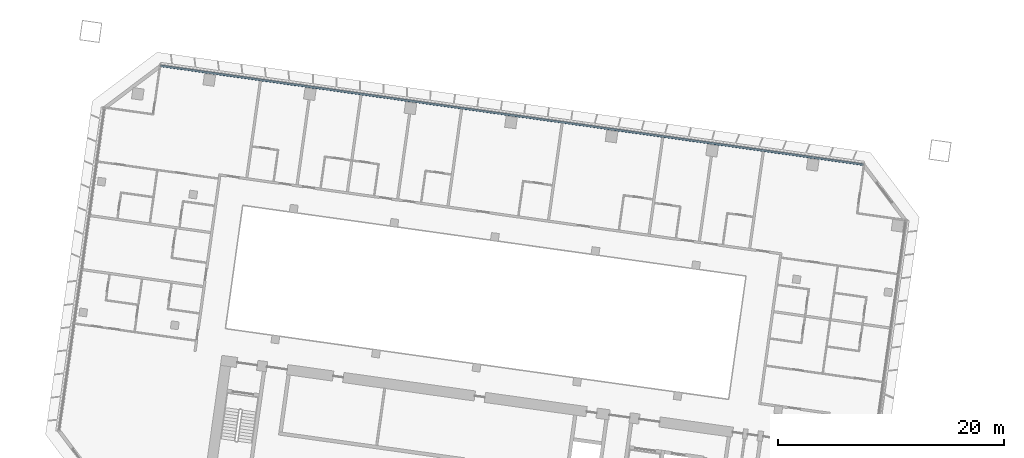
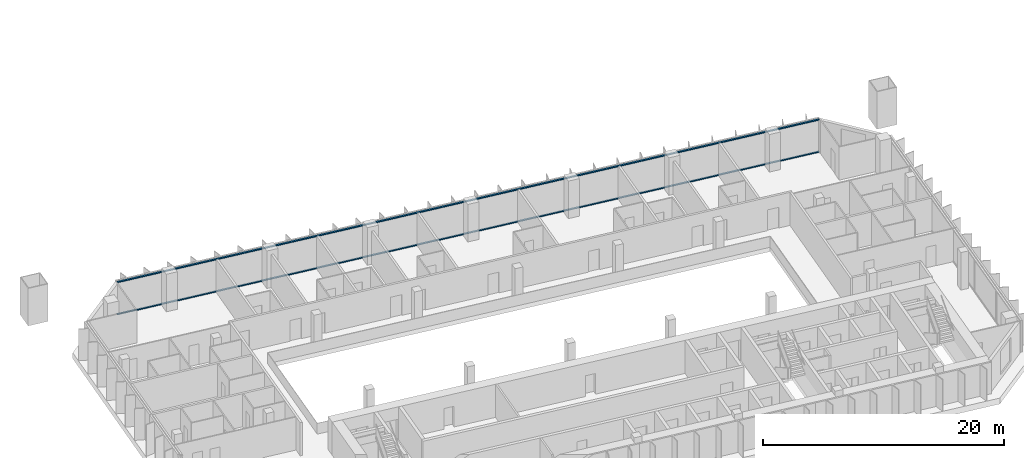
# One storey, part 4 of 25: 2 members, 1 element without a shape of its own.
"""IFC4 building model written with IfcOpenShell, lengths in metres."""

from ifc_helpers import new_model, si_unit, direction, frame, origin, origin_2d, place, context, subcontext, project, spatial, rectangle, extrude, material, material_profile, profile_set, type_object, element, aggregate, save


model = new_model("IFC4")

# Units and contexts
model_context = context("Model", 3, precision=1e-05, world=origin(), true_north=direction((0.0, 1.0)))
body_context = subcontext(model_context, "Body", "Model", "MODEL_VIEW")
ifc_project = project(units=[si_unit("LENGTHUNIT", "METRE"), si_unit("AREAUNIT", "SQUARE_METRE"), si_unit("VOLUMEUNIT", "CUBIC_METRE"), si_unit("PLANEANGLEUNIT", "RADIAN"), si_unit("MASSUNIT", "GRAM", prefix="KILO")], contexts=[model_context])

# Site, building, storey
site_placement = place(None, origin())
site = spatial("IfcSite", under=ifc_project, at=site_placement, CompositionType="ELEMENT")
building_placement = place(site_placement, origin())
building = spatial("IfcBuilding", under=site, at=building_placement, Name="Mirante Cascada Hotel Towers", CompositionType="ELEMENT")
storey_placement = place(building_placement, frame((0.0, 0.0, 69.9)))
storey = spatial("IfcBuildingStorey", under=building, at=storey_placement, Name="L14", CompositionType="ELEMENT", Elevation=69.9)

# Curtain wall, members
ifc_material_1 = material(Name="Aluminium mullion and transom frame with clear laminated glass", Category="aluminium")
curtain_wall_type = type_object("IfcCurtainWallType", Name="Ribbon curtain wall ECW1", PredefinedType="NOTDEFINED", material=ifc_material_1)
curtain_wall_placement = place(storey_placement, origin())
curtain_wall = element("IfcCurtainWall", 1, at=curtain_wall_placement, inside=storey, type_object=curtain_wall_type, Name="Front ribbon wall T1 L14", PredefinedType="NOTDEFINED")
ifc_material_2 = material(Name="Anodised aluminium extrusion", Category="aluminium")
ifc_material_profile = material_profile(ifc_material_2, rectangle(XDim=0.16, YDim=0.1, at=origin_2d()), Name="ECW1 TRANSOM 100x160")
ifc_profile_set = profile_set([ifc_material_profile], Name="Anodised aluminium extrusion")
member_type = type_object("IfcMemberType", Name="ECW1 transom 100x160", PredefinedType="USERDEFINED", material=ifc_profile_set)
member_1_placement = place(storey_placement, frame((-94.1582, 26.0521, 0.05), z_axis=(0.9902681, -0.1391728, 0.0), x_axis=(0.1391728, 0.9902681, 0.0)))
member_1 = element("IfcMember", 2, at=member_1_placement, type_object=member_type, Name="ECW1 sill transom", ObjectType="TRANSOM", PredefinedType="USERDEFINED", context=body_context, shape_type="SweptSolid", body=[
    extrude(rectangle(XDim=0.16, YDim=0.1, at=origin_2d()), origin(), (0.0, 0.0, 1.0), 62.8758),
])
member_2_placement = place(storey_placement, frame((-94.1582, 26.0521, 3.3), z_axis=(0.9902681, -0.1391728, 0.0), x_axis=(0.1391728, 0.9902681, 0.0)))
member_2 = element("IfcMember", 3, at=member_2_placement, type_object=member_type, Name="ECW1 head transom", ObjectType="TRANSOM", PredefinedType="USERDEFINED", context=body_context, shape_type="SweptSolid", body=[
    extrude(rectangle(XDim=0.16, YDim=0.1, at=origin_2d()), origin(), (0.0, 0.0, 1.0), 62.8758),
])
aggregate(curtain_wall, [member_1, member_2])

save(model, "model.ifc")
